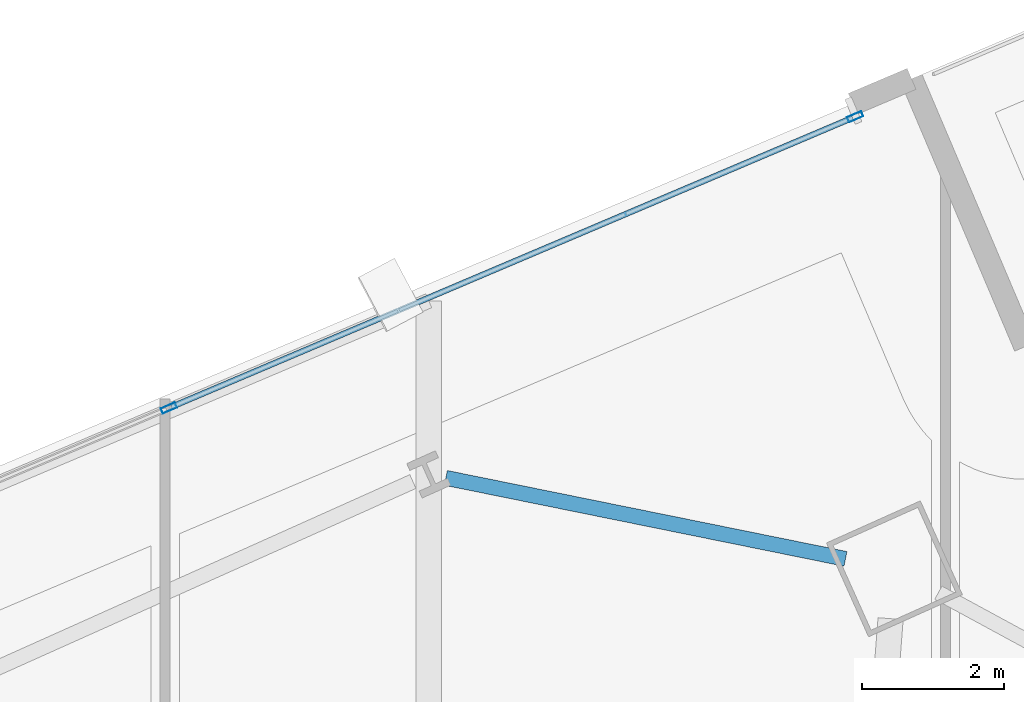
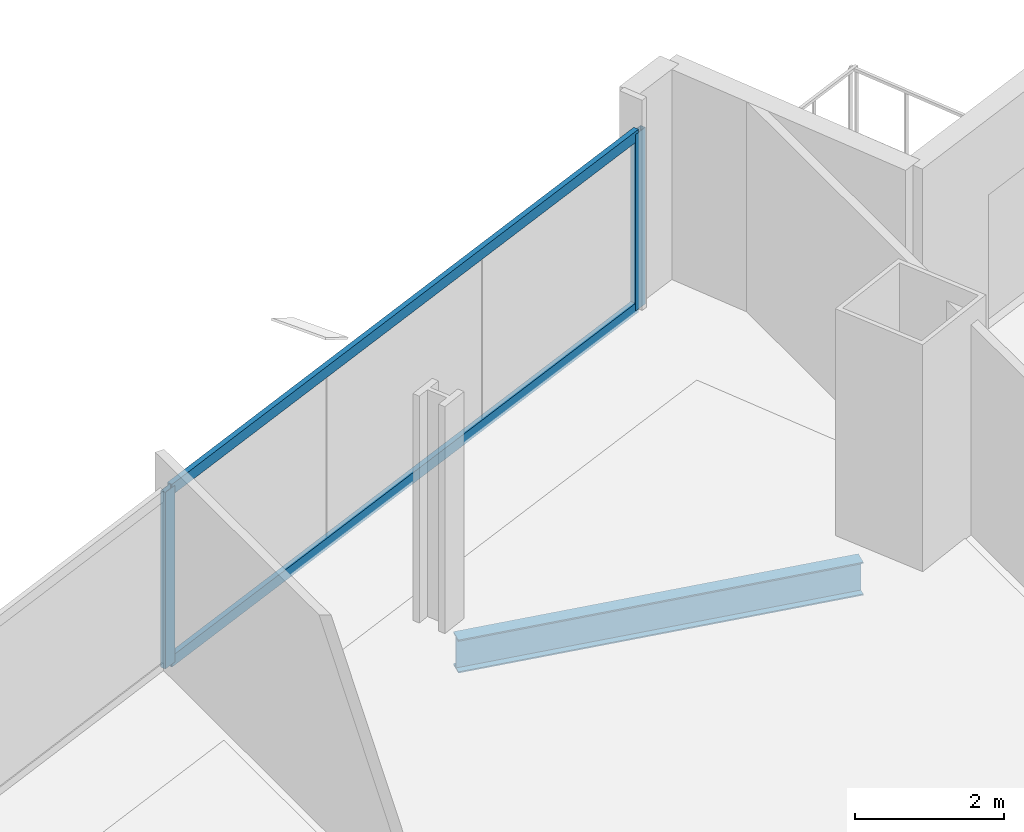
# One storey, part 23 of 34: 4 members, 1 beam, 1 element without a shape of its own.
"""IFC4 building model written with IfcOpenShell, lengths in metres."""

from ifc_helpers import new_model, si_unit, direction, frame, origin, origin_2d, place, context, subcontext, project, spatial, hollow_rectangle, i_section, extrude, material, material_profile, profile_set, type_object, element, aggregate, save


model = new_model("IFC4")

# Units and contexts
model_context = context("Model", 3, precision=1e-05, world=origin(), true_north=direction((0.0, 1.0)))
body_context = subcontext(model_context, "Body", "Model", "MODEL_VIEW")
ifc_project = project(units=[si_unit("LENGTHUNIT", "METRE"), si_unit("AREAUNIT", "SQUARE_METRE"), si_unit("VOLUMEUNIT", "CUBIC_METRE"), si_unit("PLANEANGLEUNIT", "RADIAN"), si_unit("MASSUNIT", "GRAM", prefix="KILO")], contexts=[model_context])

# Site, building, storey
site_placement = place(None, origin())
site = spatial("IfcSite", under=ifc_project, at=site_placement, CompositionType="ELEMENT")
building_placement = place(site_placement, origin())
building = spatial("IfcBuilding", under=site, at=building_placement, Name="Haldenkirk Collegiate Tower", CompositionType="ELEMENT")
storey_placement = place(building_placement, frame((0.0, 0.0, 105.449951171875)))
storey = spatial("IfcBuildingStorey", under=building, at=storey_placement, Name="L25", CompositionType="ELEMENT", Elevation=105.449951171875)

# Beam
ifc_material_1 = material(Name="Steel ASTM A992 Grade 50", Category="steel")
ifc_material_profile_1 = material_profile(ifc_material_1, i_section(OverallWidth=0.2119140625, OverallDepth=0.5439453125, WebThickness=0.01318359375, FlangeThickness=0.021240234375, at=origin_2d()), Name="W21X83")
ifc_profile_set_1 = profile_set([ifc_material_profile_1], Name="Steel ASTM A992 Grade 50")
beam_type = type_object("IfcBeamType", Name="BM-SPANDREL-W21X83", PredefinedType="SPANDREL", material=ifc_profile_set_1)
beam_placement = place(storey_placement, frame((45.590087890625, 50.750244140625, -0.572021484375), z_axis=(-0.980069318183, 0.198655811786, 0.0), x_axis=(-0.198655811786, -0.980069318183, 0.0)))
element("IfcBeam", 1, at=beam_placement, inside=storey, type_object=beam_type, Name="L25 perimeter spandrel beam 09", PredefinedType="SPANDREL", context=body_context, shape_type="SweptSolid", body=[
    extrude(i_section(OverallWidth=0.2119140625, OverallDepth=0.5439453125, WebThickness=0.01318359375, FlangeThickness=0.021240234375, at=origin_2d()), origin(), (0.0, 0.0, 1.0), 5.747802734375),
])

# Curtain wall, members
ifc_material_2 = material(Name="Anodised architectural bronze aluminium", Category="aluminium")
curtain_wall_type = type_object("IfcCurtainWallType", Name="CW-SYS1-CONVEX-LOW", PredefinedType="USERDEFINED", material=ifc_material_2)
curtain_wall_placement = place(storey_placement, origin())
curtain_wall = element("IfcCurtainWall", 2, at=curtain_wall_placement, inside=storey, type_object=curtain_wall_type, Name="L25 Lower tower convex bronze-framed unitised curtain wall", ObjectType="UNITISED CURTAIN WALL", PredefinedType="USERDEFINED")
ifc_material_profile_2 = material_profile(ifc_material_2, hollow_rectangle(XDim=0.080078125, YDim=0.219970703125, WallThickness=0.0048828125, at=origin_2d()), Name="CW-MUL-1A")
ifc_profile_set_2 = profile_set([ifc_material_profile_2], Name="Anodised architectural bronze aluminium")
member_type_1 = type_object("IfcMemberType", Name="CW-MUL-1A", PredefinedType="MULLION", material=ifc_profile_set_2)
member_1_placement = place(storey_placement, frame((36.052490234375, 52.877197265625, 0.0), z_axis=(0.0, 0.0, 1.0), x_axis=(-0.390730945162, 0.92050493127, 0.0)))
member_1 = element("IfcMember", 3, at=member_1_placement, type_object=member_type_1, Name="CW-1A mullion 4", PredefinedType="MULLION", context=body_context, shape_type="SweptSolid", body=[
    extrude(hollow_rectangle(XDim=0.080078125, YDim=0.219970703125, WallThickness=0.0048828125, at=origin_2d()), origin(), (0.0, 0.0, 1.0), 2.901123046875),
])
member_2_placement = place(storey_placement, frame((45.726806640625, 56.983642578125, 0.0), z_axis=(0.0, 0.0, 1.0), x_axis=(-0.390730945162, 0.92050493127, 0.0)))
member_2 = element("IfcMember", 4, at=member_2_placement, type_object=member_type_1, Name="CW-1A mullion 5", PredefinedType="MULLION", context=body_context, shape_type="SweptSolid", body=[
    extrude(hollow_rectangle(XDim=0.080078125, YDim=0.219970703125, WallThickness=0.0048828125, at=origin_2d()), origin(), (0.0, 0.0, 1.0), 2.901123046875),
])
ifc_material_profile_3 = material_profile(ifc_material_2, hollow_rectangle(XDim=0.080078125, YDim=0.179931640625, WallThickness=0.0048828125, at=origin_2d()), Name="CW-TRN-1A")
ifc_profile_set_3 = profile_set([ifc_material_profile_3], Name="Anodised architectural bronze aluminium")
member_type_2 = type_object("IfcMemberType", Name="CW-TRN-1A", PredefinedType="USERDEFINED", material=ifc_profile_set_3)
member_3_placement = place(storey_placement, frame((36.089111328125, 52.892822265625, 0.0400390625), z_axis=(0.92050882844, 0.390721763873, 0.0), x_axis=(-0.390721763873, 0.92050882844, 0.0)))
member_3 = element("IfcMember", 5, at=member_3_placement, type_object=member_type_2, Name="CW-1A transom 4.1", ObjectType="TRANSOM", PredefinedType="USERDEFINED", context=body_context, shape_type="SweptSolid", body=[
    extrude(hollow_rectangle(XDim=0.080078125, YDim=0.179931640625, WallThickness=0.0048828125, at=origin_2d()), origin(), (0.0, 0.0, 1.0), 10.429931640625),
])
member_4_placement = place(storey_placement, frame((36.089111328125, 52.892822265625, 2.861083984375), z_axis=(0.92050882844, 0.390721763873, 0.0), x_axis=(-0.390721763873, 0.92050882844, 0.0)))
member_4 = element("IfcMember", 6, at=member_4_placement, type_object=member_type_2, Name="CW-1A transom 4.2", ObjectType="TRANSOM", PredefinedType="USERDEFINED", context=body_context, shape_type="SweptSolid", body=[
    extrude(hollow_rectangle(XDim=0.080078125, YDim=0.179931640625, WallThickness=0.0048828125, at=origin_2d()), origin(), (0.0, 0.0, 1.0), 10.429931640625),
])
aggregate(curtain_wall, [member_1, member_2, member_3, member_4])

save(model, "model.ifc")
